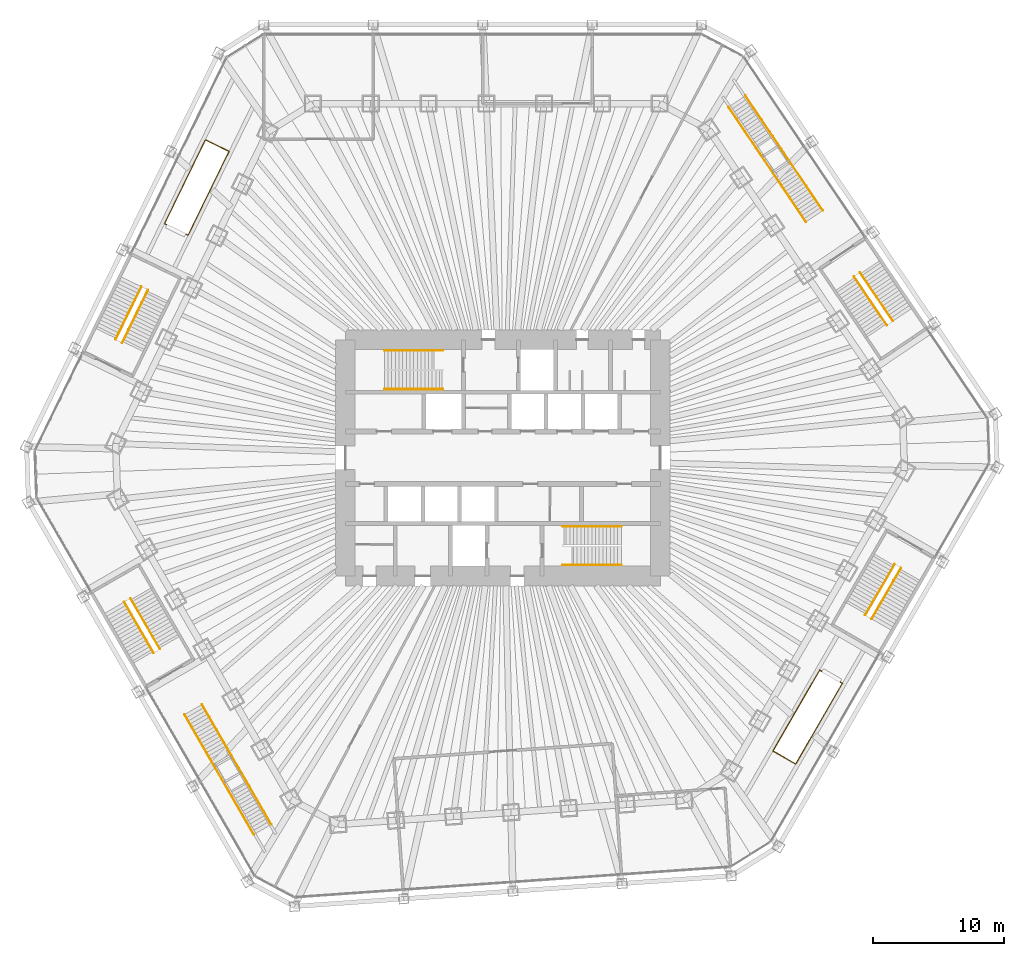
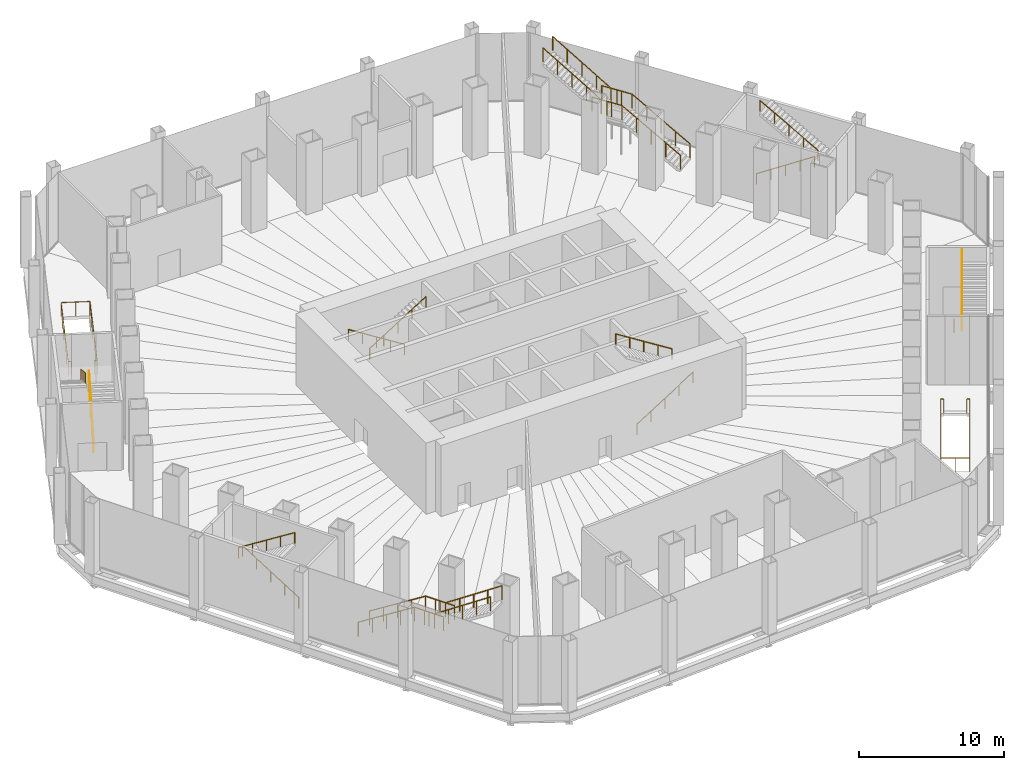
# One storey, part 23 of 23: 22 railings.
"""IFC4 building model written with IfcOpenShell, lengths in metres."""

from ifc_helpers import new_model, si_unit, direction, frame, origin, origin_2d, place, context, subcontext, project, spatial, circle, extrude, material, type_object, element, save


model = new_model("IFC4")

# Units and contexts
model_context = context("Model", 3, precision=1e-05, world=origin(), true_north=direction((0.0, 1.0)))
body_context = subcontext(model_context, "Body", "Model", "MODEL_VIEW")
ifc_project = project(units=[si_unit("LENGTHUNIT", "METRE"), si_unit("AREAUNIT", "SQUARE_METRE"), si_unit("VOLUMEUNIT", "CUBIC_METRE"), si_unit("PLANEANGLEUNIT", "RADIAN"), si_unit("MASSUNIT", "GRAM", prefix="KILO")], contexts=[model_context])

# Site, building, storey
site_placement = place(None, origin())
site = spatial("IfcSite", under=ifc_project, at=site_placement, CompositionType="ELEMENT")
building_placement = place(site_placement, origin())
building = spatial("IfcBuilding", under=site, at=building_placement, Name="Qingtian Harvest Tower", CompositionType="ELEMENT")
storey_placement = place(building_placement, frame((0.0, 0.0, 6.0)))
storey = spatial("IfcBuildingStorey", under=building, at=storey_placement, Name="L01", CompositionType="ELEMENT", Elevation=6.0)

# Railings
ifc_material_1 = material(Name="Laminated glass balustrade with steel handrail", Category="steel")
railing_type_1 = type_object("IfcRailingType", Name="Glass balustrade BG1 1200", PredefinedType="BALUSTRADE", material=ifc_material_1)
railing_1_placement = place(storey_placement, frame((24.322265625, -16.2841796875, 0.0)))
element("IfcRailing", 1, at=railing_1_placement, inside=storey, type_object=railing_type_1, Name="Feature stair opening guard FS1", PredefinedType="BALUSTRADE", context=body_context, shape_type="SweptSolid", body=[
    extrude(circle(Radius=0.02392578125, at=origin_2d()), frame((0.0, 0.0, 1.17578125), z_axis=(-0.865982457891, 0.500074377092, 0.0), x_axis=(-0.500074377092, -0.865982457891, 0.0)), (0.0, 0.0, 1.0), 0.2001953125),
    extrude(circle(Radius=0.02392578125, at=origin_2d()), frame((-0.17333984375, 0.10009765625, 1.17578125), z_axis=(-0.499990956993, -0.866030624704, 0.0), x_axis=(0.866030624704, -0.499990956993, 0.0)), (0.0, 0.0, 1.0), 7.110107421875),
    extrude(circle(Radius=0.02392578125, at=origin_2d()), frame((-3.728271484375, -6.057373046875, 1.17578125), z_axis=(0.866010750942, -0.50002537861, 0.0), x_axis=(0.50002537861, 0.866010750942, 0.0)), (0.0, 0.0, 1.0), 2.0),
    extrude(circle(Radius=0.02392578125, at=origin_2d()), frame((-1.996337890625, -7.057373046875, 1.17578125), z_axis=(0.5000167099, 0.866015756104, 0.0), x_axis=(-0.866015756104, 0.5000167099, 0.0)), (0.0, 0.0, 1.0), 7.110107421875),
    extrude(circle(Radius=0.02392578125, at=origin_2d()), frame((1.558837890625, -0.89990234375, 1.17578125), z_axis=(-0.865982457891, 0.500074377092, 0.0), x_axis=(-0.500074377092, -0.865982457891, 0.0)), (0.0, 0.0, 1.0), 0.2001953125),
    extrude(circle(Radius=0.02099609375, at=origin_2d()), origin(), (0.0, 0.0, 1.0), 1.15185546875),
    extrude(circle(Radius=0.02099609375, at=origin_2d()), frame((-0.17333984375, 0.10009765625, 0.0)), (0.0, 0.0, 1.0), 1.15185546875),
    extrude(circle(Radius=0.02099609375, at=origin_2d()), frame((-0.88427734375, -1.13134765625, 0.0)), (0.0, 0.0, 1.0), 1.15185546875),
    extrude(circle(Radius=0.02099609375, at=origin_2d()), frame((-1.59521484375, -2.36279296875, 0.0)), (0.0, 0.0, 1.0), 1.15185546875),
    extrude(circle(Radius=0.02099609375, at=origin_2d()), frame((-2.306396484375, -3.594482421875, 0.0)), (0.0, 0.0, 1.0), 1.15185546875),
    extrude(circle(Radius=0.02099609375, at=origin_2d()), frame((-3.017333984375, -4.825927734375, 0.0)), (0.0, 0.0, 1.0), 1.15185546875),
    extrude(circle(Radius=0.02099609375, at=origin_2d()), frame((-3.728271484375, -6.057373046875, 0.0)), (0.0, 0.0, 1.0), 1.15185546875),
    extrude(circle(Radius=0.02099609375, at=origin_2d()), frame((-2.8623046875, -6.557373046875, 0.0)), (0.0, 0.0, 1.0), 1.15185546875),
    extrude(circle(Radius=0.02099609375, at=origin_2d()), frame((-1.996337890625, -7.057373046875, 0.0)), (0.0, 0.0, 1.0), 1.15185546875),
    extrude(circle(Radius=0.02099609375, at=origin_2d()), frame((-1.285400390625, -5.825927734375, 0.0)), (0.0, 0.0, 1.0), 1.15185546875),
    extrude(circle(Radius=0.02099609375, at=origin_2d()), frame((-0.57421875, -4.594482421875, 0.0)), (0.0, 0.0, 1.0), 1.15185546875),
    extrude(circle(Radius=0.02099609375, at=origin_2d()), frame((0.13671875, -3.36279296875, 0.0)), (0.0, 0.0, 1.0), 1.15185546875),
    extrude(circle(Radius=0.02099609375, at=origin_2d()), frame((0.847900390625, -2.13134765625, 0.0)), (0.0, 0.0, 1.0), 1.15185546875),
    extrude(circle(Radius=0.02099609375, at=origin_2d()), frame((1.558837890625, -0.89990234375, 0.0)), (0.0, 0.0, 1.0), 1.15185546875),
    extrude(circle(Radius=0.02099609375, at=origin_2d()), frame((1.385498046875, -0.7998046875, 0.0)), (0.0, 0.0, 1.0), 1.15185546875),
])
railing_2_placement = place(storey_placement, frame((-24.16748046875, 17.058837890625, 0.0)))
element("IfcRailing", 2, at=railing_2_placement, inside=storey, type_object=railing_type_1, Name="Feature stair opening guard FS2", PredefinedType="BALUSTRADE", context=body_context, shape_type="SweptSolid", body=[
    extrude(circle(Radius=0.02392578125, at=origin_2d()), frame((0.0, 0.0, 1.17578125), z_axis=(0.898298727842, -0.439385247314, 0.0), x_axis=(0.439385247314, 0.898298727842, 0.0)), (0.0, 0.0, 1.0), 0.199951171875),
    extrude(circle(Radius=0.02392578125, at=origin_2d()), frame((0.1796875, -0.087890625, 1.17578125), z_axis=(0.438374246843, 0.898792534295, 0.0), x_axis=(-0.898792534295, 0.438374246843, 0.0)), (0.0, 0.0, 1.0), 7.1103515625),
    extrude(circle(Radius=0.02392578125, at=origin_2d()), frame((3.296630859375, 6.302734375, 1.17578125), z_axis=(-0.898802465371, 0.438353884714, 0.0), x_axis=(-0.438353884714, -0.898802465371, 0.0)), (0.0, 0.0, 1.0), 2.0),
    extrude(circle(Radius=0.02392578125, at=origin_2d()), frame((1.4990234375, 7.179443359375, 1.17578125), z_axis=(-0.438387776054, -0.898785935475, 0.0), x_axis=(0.898785935475, -0.438387776054, 0.0)), (0.0, 0.0, 1.0), 7.110107421875),
    extrude(circle(Radius=0.02392578125, at=origin_2d()), frame((-1.617919921875, 0.7890625, 1.17578125), z_axis=(0.898533972665, -0.438903975793, 0.0), x_axis=(0.438903975793, 0.898533972665, 0.0)), (0.0, 0.0, 1.0), 0.2001953125),
    extrude(circle(Radius=0.02099609375, at=origin_2d()), origin(), (0.0, 0.0, 1.0), 1.15185546875),
    extrude(circle(Radius=0.02099609375, at=origin_2d()), frame((0.1796875, -0.087890625, 0.0)), (0.0, 0.0, 1.0), 1.15185546875),
    extrude(circle(Radius=0.02099609375, at=origin_2d()), frame((0.802978515625, 1.190185546875, 0.0)), (0.0, 0.0, 1.0), 1.15185546875),
    extrude(circle(Radius=0.02099609375, at=origin_2d()), frame((1.426513671875, 2.46826171875, 0.0)), (0.0, 0.0, 1.0), 1.15185546875),
    extrude(circle(Radius=0.02099609375, at=origin_2d()), frame((2.0498046875, 3.74658203125, 0.0)), (0.0, 0.0, 1.0), 1.15185546875),
    extrude(circle(Radius=0.02099609375, at=origin_2d()), frame((2.67333984375, 5.024658203125, 0.0)), (0.0, 0.0, 1.0), 1.15185546875),
    extrude(circle(Radius=0.02099609375, at=origin_2d()), frame((3.296630859375, 6.302734375, 0.0)), (0.0, 0.0, 1.0), 1.15185546875),
    extrude(circle(Radius=0.02099609375, at=origin_2d()), frame((2.39794921875, 6.7412109375, 0.0)), (0.0, 0.0, 1.0), 1.15185546875),
    extrude(circle(Radius=0.02099609375, at=origin_2d()), frame((1.4990234375, 7.179443359375, 0.0)), (0.0, 0.0, 1.0), 1.15185546875),
    extrude(circle(Radius=0.02099609375, at=origin_2d()), frame((0.875732421875, 5.9013671875, 0.0)), (0.0, 0.0, 1.0), 1.15185546875),
    extrude(circle(Radius=0.02099609375, at=origin_2d()), frame((0.252197265625, 4.623291015625, 0.0)), (0.0, 0.0, 1.0), 1.15185546875),
    extrude(circle(Radius=0.02099609375, at=origin_2d()), frame((-0.37109375, 3.34521484375, 0.0)), (0.0, 0.0, 1.0), 1.15185546875),
    extrude(circle(Radius=0.02099609375, at=origin_2d()), frame((-0.99462890625, 2.067138671875, 0.0)), (0.0, 0.0, 1.0), 1.15185546875),
    extrude(circle(Radius=0.02099609375, at=origin_2d()), frame((-1.617919921875, 0.7890625, 0.0)), (0.0, 0.0, 1.0), 1.15185546875),
    extrude(circle(Radius=0.02099609375, at=origin_2d()), frame((-1.43798828125, 0.701171875, 0.0)), (0.0, 0.0, 1.0), 1.15185546875),
])
railing_3_placement = place(storey_placement, frame((24.390869140625, 18.853271484375, 0.176513671875)))
element("IfcRailing", 3, at=railing_3_placement, inside=storey, type_object=railing_type_1, Name="Feature stair balustrade FS3", PredefinedType="BALUSTRADE", context=body_context, shape_type="SweptSolid", body=[
    extrude(circle(Radius=0.02392578125, at=origin_2d()), frame((0.0, 0.0, 1.17578125), z_axis=(-0.473066796312, 0.701370740892, 0.533185605628), x_axis=(-0.829045102786, -0.559181739282, 0.0)), (0.0, 0.0, 1.0), 5.29541015625),
    extrude(circle(Radius=0.02392578125, at=origin_2d()), frame((-2.505126953125, 3.714111328125, 3.99951171875), z_axis=(-0.559234351956, 0.829009613691, 0.0), x_axis=(-0.829009613691, -0.559234351956, 0.0)), (0.0, 0.0, 1.0), 1.60009765625),
    extrude(circle(Radius=0.02392578125, at=origin_2d()), frame((-3.39990234375, 5.04052734375, 3.99951171875), z_axis=(-0.464627704744, 0.688858909684, 0.556412166055), x_axis=(-0.829045102786, -0.559181739282, 0.0)), (0.0, 0.0, 1.0), 5.3916015625),
    extrude(circle(Radius=0.02099609375, at=origin_2d()), origin(), (0.0, 0.0, 1.0), 1.15185546875),
    extrude(circle(Radius=0.02099609375, at=origin_2d()), frame((-0.626220703125, 0.928466796875, 0.705810546875)), (0.0, 0.0, 1.0), 1.15185546875),
    extrude(circle(Radius=0.02099609375, at=origin_2d()), frame((-1.25244140625, 1.85693359375, 1.41162109375)), (0.0, 0.0, 1.0), 1.15185546875),
    extrude(circle(Radius=0.02099609375, at=origin_2d()), frame((-1.87890625, 2.78564453125, 2.11767578125)), (0.0, 0.0, 1.0), 1.15185546875),
    extrude(circle(Radius=0.02099609375, at=origin_2d()), frame((-2.505126953125, 3.714111328125, 2.823486328125)), (0.0, 0.0, 1.0), 1.15185546875),
    extrude(circle(Radius=0.02099609375, at=origin_2d()), frame((-2.95263671875, 4.37744140625, 2.823486328125)), (0.0, 0.0, 1.0), 1.15185546875),
    extrude(circle(Radius=0.02099609375, at=origin_2d()), frame((-3.39990234375, 5.04052734375, 2.823486328125)), (0.0, 0.0, 1.0), 1.15185546875),
    extrude(circle(Radius=0.02099609375, at=origin_2d()), frame((-4.026123046875, 5.968994140625, 3.573486328125)), (0.0, 0.0, 1.0), 1.15185546875),
    extrude(circle(Radius=0.02099609375, at=origin_2d()), frame((-4.65234375, 6.8974609375, 4.323486328125)), (0.0, 0.0, 1.0), 1.15185546875),
    extrude(circle(Radius=0.02099609375, at=origin_2d()), frame((-5.27880859375, 7.826171875, 5.073486328125)), (0.0, 0.0, 1.0), 1.15185546875),
    extrude(circle(Radius=0.02099609375, at=origin_2d()), frame((-5.905029296875, 8.754638671875, 5.823486328125)), (0.0, 0.0, 1.0), 1.15185546875),
])
railing_4_placement = place(storey_placement, frame((23.1142578125, 17.9921875, 0.176513671875)))
element("IfcRailing", 4, at=railing_4_placement, inside=storey, type_object=railing_type_1, Name="Feature stair balustrade FS3", PredefinedType="BALUSTRADE", context=body_context, shape_type="SweptSolid", body=[
    extrude(circle(Radius=0.02392578125, at=origin_2d()), frame((0.0, 0.0, 1.17578125), z_axis=(-0.473102580945, 0.701355443766, 0.533173976675), x_axis=(-0.829019839157, -0.559219193415, 0.0)), (0.0, 0.0, 1.0), 5.295654296875),
    extrude(circle(Radius=0.02392578125, at=origin_2d()), frame((-2.50537109375, 3.714111328125, 3.99951171875), z_axis=(-0.559129471496, 0.829080354432, 0.0), x_axis=(-0.829080354432, -0.559129471496, 0.0)), (0.0, 0.0, 1.0), 1.599853515625),
    extrude(circle(Radius=0.02392578125, at=origin_2d()), frame((-3.39990234375, 5.04052734375, 3.99951171875), z_axis=(-0.464663209362, 0.688844416685, 0.556400459622), x_axis=(-0.829019839157, -0.559219193415, 0.0)), (0.0, 0.0, 1.0), 5.391845703125),
    extrude(circle(Radius=0.02099609375, at=origin_2d()), origin(), (0.0, 0.0, 1.0), 1.15185546875),
    extrude(circle(Radius=0.02099609375, at=origin_2d()), frame((-0.62646484375, 0.928466796875, 0.705810546875)), (0.0, 0.0, 1.0), 1.15185546875),
    extrude(circle(Radius=0.02099609375, at=origin_2d()), frame((-1.252685546875, 1.85693359375, 1.41162109375)), (0.0, 0.0, 1.0), 1.15185546875),
    extrude(circle(Radius=0.02099609375, at=origin_2d()), frame((-1.87890625, 2.78564453125, 2.11767578125)), (0.0, 0.0, 1.0), 1.15185546875),
    extrude(circle(Radius=0.02099609375, at=origin_2d()), frame((-2.50537109375, 3.714111328125, 2.823486328125)), (0.0, 0.0, 1.0), 1.15185546875),
    extrude(circle(Radius=0.02099609375, at=origin_2d()), frame((-2.95263671875, 4.37744140625, 2.823486328125)), (0.0, 0.0, 1.0), 1.15185546875),
    extrude(circle(Radius=0.02099609375, at=origin_2d()), frame((-3.39990234375, 5.04052734375, 2.823486328125)), (0.0, 0.0, 1.0), 1.15185546875),
    extrude(circle(Radius=0.02099609375, at=origin_2d()), frame((-4.0263671875, 5.968994140625, 3.573486328125)), (0.0, 0.0, 1.0), 1.15185546875),
    extrude(circle(Radius=0.02099609375, at=origin_2d()), frame((-4.652587890625, 6.8974609375, 4.323486328125)), (0.0, 0.0, 1.0), 1.15185546875),
    extrude(circle(Radius=0.02099609375, at=origin_2d()), frame((-5.27880859375, 7.826171875, 5.073486328125)), (0.0, 0.0, 1.0), 1.15185546875),
    extrude(circle(Radius=0.02099609375, at=origin_2d()), frame((-5.9052734375, 8.754638671875, 5.823486328125)), (0.0, 0.0, 1.0), 1.15185546875),
])
railing_5_placement = place(storey_placement, frame((-24.2568359375, -19.5625, 0.176513671875)))
element("IfcRailing", 5, at=railing_5_placement, inside=storey, type_object=railing_type_1, Name="Feature stair balustrade FS4", PredefinedType="BALUSTRADE", context=body_context, shape_type="SweptSolid", body=[
    extrude(circle(Radius=0.02392578125, at=origin_2d()), frame((0.0, 0.0, 1.17578125), z_axis=(0.423007058581, -0.732643615031, 0.533196363214), x_axis=(0.866017690131, 0.500013360201, 0.0)), (0.0, 0.0, 1.0), 5.29541015625),
    extrude(circle(Radius=0.02392578125, at=origin_2d()), frame((2.239990234375, -3.879638671875, 3.99951171875), z_axis=(0.499995408039, -0.866028054938, 0.0), x_axis=(0.866028054938, 0.499995408039, 0.0)), (0.0, 0.0, 1.0), 1.60009765625),
    extrude(circle(Radius=0.02392578125, at=origin_2d()), frame((3.0400390625, -5.265380859375, 3.99951171875), z_axis=(0.415460691878, -0.719573390152, 0.556422995292), x_axis=(0.866017690131, 0.500013360201, 0.0)), (0.0, 0.0, 1.0), 5.3916015625),
    extrude(circle(Radius=0.02099609375, at=origin_2d()), origin(), (0.0, 0.0, 1.0), 1.15185546875),
    extrude(circle(Radius=0.02099609375, at=origin_2d()), frame((0.56005859375, -0.969970703125, 0.705810546875)), (0.0, 0.0, 1.0), 1.15185546875),
    extrude(circle(Radius=0.02099609375, at=origin_2d()), frame((1.1201171875, -1.93994140625, 1.41162109375)), (0.0, 0.0, 1.0), 1.15185546875),
    extrude(circle(Radius=0.02099609375, at=origin_2d()), frame((1.679931640625, -2.90966796875, 2.11767578125)), (0.0, 0.0, 1.0), 1.15185546875),
    extrude(circle(Radius=0.02099609375, at=origin_2d()), frame((2.239990234375, -3.879638671875, 2.823486328125)), (0.0, 0.0, 1.0), 1.15185546875),
    extrude(circle(Radius=0.02099609375, at=origin_2d()), frame((2.64013671875, -4.572509765625, 2.823486328125)), (0.0, 0.0, 1.0), 1.15185546875),
    extrude(circle(Radius=0.02099609375, at=origin_2d()), frame((3.0400390625, -5.265380859375, 2.823486328125)), (0.0, 0.0, 1.0), 1.15185546875),
    extrude(circle(Radius=0.02099609375, at=origin_2d()), frame((3.60009765625, -6.2353515625, 3.573486328125)), (0.0, 0.0, 1.0), 1.15185546875),
    extrude(circle(Radius=0.02099609375, at=origin_2d()), frame((4.16015625, -7.205078125, 4.323486328125)), (0.0, 0.0, 1.0), 1.15185546875),
    extrude(circle(Radius=0.02099609375, at=origin_2d()), frame((4.719970703125, -8.175048828125, 5.073486328125)), (0.0, 0.0, 1.0), 1.15185546875),
    extrude(circle(Radius=0.02099609375, at=origin_2d()), frame((5.280029296875, -9.14501953125, 5.823486328125)), (0.0, 0.0, 1.0), 1.15185546875),
])
railing_6_placement = place(storey_placement, frame((-22.923095703125, -18.79248046875, 0.176513671875)))
element("IfcRailing", 6, at=railing_6_placement, inside=storey, type_object=railing_type_1, Name="Feature stair balustrade FS4", PredefinedType="BALUSTRADE", context=body_context, shape_type="SweptSolid", body=[
    extrude(circle(Radius=0.02392578125, at=origin_2d()), frame((0.0, 0.0, 1.17578125), z_axis=(0.423007058581, -0.732643615031, 0.533196363214), x_axis=(0.866017690131, 0.500013360201, 0.0)), (0.0, 0.0, 1.0), 5.29541015625),
    extrude(circle(Radius=0.02392578125, at=origin_2d()), frame((2.239990234375, -3.879638671875, 3.99951171875), z_axis=(0.499995408039, -0.866028054938, 0.0), x_axis=(0.866028054938, 0.499995408039, 0.0)), (0.0, 0.0, 1.0), 1.60009765625),
    extrude(circle(Radius=0.02392578125, at=origin_2d()), frame((3.0400390625, -5.265380859375, 3.99951171875), z_axis=(0.415460691878, -0.719573390152, 0.556422995292), x_axis=(0.866017690131, 0.500013360201, 0.0)), (0.0, 0.0, 1.0), 5.3916015625),
    extrude(circle(Radius=0.02099609375, at=origin_2d()), origin(), (0.0, 0.0, 1.0), 1.15185546875),
    extrude(circle(Radius=0.02099609375, at=origin_2d()), frame((0.56005859375, -0.969970703125, 0.705810546875)), (0.0, 0.0, 1.0), 1.15185546875),
    extrude(circle(Radius=0.02099609375, at=origin_2d()), frame((1.1201171875, -1.93994140625, 1.41162109375)), (0.0, 0.0, 1.0), 1.15185546875),
    extrude(circle(Radius=0.02099609375, at=origin_2d()), frame((1.679931640625, -2.90966796875, 2.11767578125)), (0.0, 0.0, 1.0), 1.15185546875),
    extrude(circle(Radius=0.02099609375, at=origin_2d()), frame((2.239990234375, -3.879638671875, 2.823486328125)), (0.0, 0.0, 1.0), 1.15185546875),
    extrude(circle(Radius=0.02099609375, at=origin_2d()), frame((2.64013671875, -4.572509765625, 2.823486328125)), (0.0, 0.0, 1.0), 1.15185546875),
    extrude(circle(Radius=0.02099609375, at=origin_2d()), frame((3.0400390625, -5.265380859375, 2.823486328125)), (0.0, 0.0, 1.0), 1.15185546875),
    extrude(circle(Radius=0.02099609375, at=origin_2d()), frame((3.60009765625, -6.2353515625, 3.573486328125)), (0.0, 0.0, 1.0), 1.15185546875),
    extrude(circle(Radius=0.02099609375, at=origin_2d()), frame((4.16015625, -7.205078125, 4.323486328125)), (0.0, 0.0, 1.0), 1.15185546875),
    extrude(circle(Radius=0.02099609375, at=origin_2d()), frame((4.719970703125, -8.175048828125, 5.073486328125)), (0.0, 0.0, 1.0), 1.15185546875),
    extrude(circle(Radius=0.02099609375, at=origin_2d()), frame((5.280029296875, -9.14501953125, 5.823486328125)), (0.0, 0.0, 1.0), 1.15185546875),
])
ifc_material_2 = material(Name="Bronze-finished steel guard", Category="steel")
railing_type_2 = type_object("IfcRailingType", Name="Guard GR1 1200", PredefinedType="GUARDRAIL", material=ifc_material_2)
for number, where, name in (
    (7, (21.8857421875, 22.5673828125, 3.0), "Feature stair landing guard FS3"),
    (8, (20.60888671875, 21.706298828125, 3.0), "Feature stair landing guard FS3"),
):
    element("IfcRailing", number, at=place(storey_placement, frame(where)), inside=storey, type_object=railing_type_2, Name=name, PredefinedType="GUARDRAIL", context=body_context, shape_type="SweptSolid", body=[
        extrude(circle(Radius=0.02392578125, at=origin_2d()), frame((0.0, 0.0, 1.17578125), z_axis=(-0.559204176839, 0.829029968461, 0.0), x_axis=(-0.829029968461, -0.559204176839, 0.0)), (0.0, 0.0, 1.0), 2.31005859375),
        extrude(circle(Radius=0.02099609375, at=origin_2d()), origin(), (0.0, 0.0, 1.0), 1.15185546875),
        extrude(circle(Radius=0.02099609375, at=origin_2d()), frame((-0.64599609375, 0.95751953125, 0.0)), (0.0, 0.0, 1.0), 1.15185546875),
        extrude(circle(Radius=0.02099609375, at=origin_2d()), frame((-1.291748046875, 1.9150390625, 0.0)), (0.0, 0.0, 1.0), 1.15185546875),
    ])
for number, where, name in (
    (9, (-22.016845703125, -23.442138671875, 3.0), "Feature stair landing guard FS4"),
    (10, (-20.68310546875, -22.672119140625, 3.0), "Feature stair landing guard FS4"),
):
    element("IfcRailing", number, at=place(storey_placement, frame(where)), inside=storey, type_object=railing_type_2, Name=name, PredefinedType="GUARDRAIL", context=body_context, shape_type="SweptSolid", body=[
        extrude(circle(Radius=0.02392578125, at=origin_2d()), frame((0.0, 0.0, 1.17578125), z_axis=(0.500015210774, -0.866016621662, 0.0), x_axis=(0.866016621662, 0.500015210774, 0.0)), (0.0, 0.0, 1.0), 2.31005859375),
        extrude(circle(Radius=0.02099609375, at=origin_2d()), origin(), (0.0, 0.0, 1.0), 1.15185546875),
        extrude(circle(Radius=0.02099609375, at=origin_2d()), frame((0.57763671875, -1.000244140625, 0.0)), (0.0, 0.0, 1.0), 1.15185546875),
        extrude(circle(Radius=0.02099609375, at=origin_2d()), frame((1.155029296875, -2.00048828125, 0.0)), (0.0, 0.0, 1.0), 1.15185546875),
    ])
ifc_material_3 = material(Name="Stainless steel handrail", Category="steel")
railing_type_3 = type_object("IfcRailingType", Name="Handrail HR1", PredefinedType="HANDRAIL", material=ifc_material_3)
railing_7_placement = place(storey_placement, frame((26.765869140625, 13.823486328125, 0.176513671875)))
element("IfcRailing", 11, at=railing_7_placement, inside=storey, type_object=railing_type_3, Name="Handrail HR1 P1 flight 1", PredefinedType="HANDRAIL", context=body_context, shape_type="SweptSolid", body=[
    extrude(circle(Radius=0.02392578125, at=origin_2d()), frame((0.0, 0.0, 0.8759765625), z_axis=(0.473102580945, -0.701355443766, 0.533173976675), x_axis=(0.829019839157, 0.559219193415, 0.0)), (0.0, 0.0, 1.0), 5.295654296875),
    extrude(circle(Radius=0.02099609375, at=origin_2d()), origin(), (0.0, 0.0, 1.0), 0.851806640625),
    extrude(circle(Radius=0.02099609375, at=origin_2d()), frame((0.62646484375, -0.928466796875, 0.705810546875)), (0.0, 0.0, 1.0), 0.851806640625),
    extrude(circle(Radius=0.02099609375, at=origin_2d()), frame((1.252685546875, -1.85693359375, 1.41162109375)), (0.0, 0.0, 1.0), 0.851806640625),
    extrude(circle(Radius=0.02099609375, at=origin_2d()), frame((1.87890625, -2.78564453125, 2.11767578125)), (0.0, 0.0, 1.0), 0.851806640625),
    extrude(circle(Radius=0.02099609375, at=origin_2d()), frame((2.50537109375, -3.714111328125, 2.823486328125)), (0.0, 0.0, 1.0), 0.851806640625),
])
railing_8_placement = place(storey_placement, frame((29.7353515625, 10.422607421875, 3.176513671875)))
element("IfcRailing", 12, at=railing_8_placement, inside=storey, type_object=railing_type_3, Name="Handrail HR1 P1 flight 2", PredefinedType="HANDRAIL", context=body_context, shape_type="SweptSolid", body=[
    extrude(circle(Radius=0.02392578125, at=origin_2d()), frame((0.0, 0.0, 0.8759765625), z_axis=(-0.473066796312, 0.701370740892, 0.533185605628), x_axis=(-0.829045102786, -0.559181739282, 0.0)), (0.0, 0.0, 1.0), 5.29541015625),
    extrude(circle(Radius=0.02099609375, at=origin_2d()), origin(), (0.0, 0.0, 1.0), 0.851806640625),
    extrude(circle(Radius=0.02099609375, at=origin_2d()), frame((-0.626220703125, 0.928466796875, 0.705810546875)), (0.0, 0.0, 1.0), 0.851806640625),
    extrude(circle(Radius=0.02099609375, at=origin_2d()), frame((-1.25244140625, 1.85693359375, 1.41162109375)), (0.0, 0.0, 1.0), 0.851806640625),
    extrude(circle(Radius=0.02099609375, at=origin_2d()), frame((-1.87890625, 2.78564453125, 2.11767578125)), (0.0, 0.0, 1.0), 0.851806640625),
    extrude(circle(Radius=0.02099609375, at=origin_2d()), frame((-2.505126953125, 3.714111328125, 2.823486328125)), (0.0, 0.0, 1.0), 0.851806640625),
])
railing_9_placement = place(storey_placement, frame((29.865966796875, -8.110595703125, 0.176513671875)))
element("IfcRailing", 13, at=railing_9_placement, inside=storey, type_object=railing_type_3, Name="Handrail HR1 P2 flight 1", PredefinedType="HANDRAIL", context=body_context, shape_type="SweptSolid", body=[
    extrude(circle(Radius=0.02392578125, at=origin_2d()), frame((0.0, 0.0, 0.8759765625), z_axis=(-0.42299277051, -0.732664971003, 0.533178353237), x_axis=(0.866031314237, -0.499989762656, 0.0)), (0.0, 0.0, 1.0), 5.295654296875),
    extrude(circle(Radius=0.02099609375, at=origin_2d()), origin(), (0.0, 0.0, 1.0), 0.851806640625),
    extrude(circle(Radius=0.02099609375, at=origin_2d()), frame((-0.56005859375, -0.969970703125, 0.705810546875)), (0.0, 0.0, 1.0), 0.851806640625),
    extrude(circle(Radius=0.02099609375, at=origin_2d()), frame((-1.1201171875, -1.93994140625, 1.41162109375)), (0.0, 0.0, 1.0), 0.851806640625),
    extrude(circle(Radius=0.02099609375, at=origin_2d()), frame((-1.679931640625, -2.909912109375, 2.11767578125)), (0.0, 0.0, 1.0), 0.851806640625),
    extrude(circle(Radius=0.02099609375, at=origin_2d()), frame((-2.239990234375, -3.8798828125, 2.823486328125)), (0.0, 0.0, 1.0), 0.851806640625),
])
railing_10_placement = place(storey_placement, frame((28.11083984375, -12.2705078125, 3.176513671875)))
element("IfcRailing", 14, at=railing_10_placement, inside=storey, type_object=railing_type_3, Name="Handrail HR1 P2 flight 2", PredefinedType="HANDRAIL", context=body_context, shape_type="SweptSolid", body=[
    extrude(circle(Radius=0.02392578125, at=origin_2d()), frame((0.0, 0.0, 0.8759765625), z_axis=(0.42299277051, 0.732664971003, 0.533178353237), x_axis=(-0.866031314237, 0.499989762656, 0.0)), (0.0, 0.0, 1.0), 5.295654296875),
    extrude(circle(Radius=0.02099609375, at=origin_2d()), origin(), (0.0, 0.0, 1.0), 0.851806640625),
    extrude(circle(Radius=0.02099609375, at=origin_2d()), frame((0.56005859375, 0.969970703125, 0.705810546875)), (0.0, 0.0, 1.0), 0.851806640625),
    extrude(circle(Radius=0.02099609375, at=origin_2d()), frame((1.1201171875, 1.93994140625, 1.41162109375)), (0.0, 0.0, 1.0), 0.851806640625),
    extrude(circle(Radius=0.02099609375, at=origin_2d()), frame((1.679931640625, 2.909912109375, 2.11767578125)), (0.0, 0.0, 1.0), 0.851806640625),
    extrude(circle(Radius=0.02099609375, at=origin_2d()), frame((2.239990234375, 3.8798828125, 2.823486328125)), (0.0, 0.0, 1.0), 0.851806640625),
])
railing_11_placement = place(storey_placement, frame((-26.1279296875, -14.585205078125, 0.176513671875)))
element("IfcRailing", 15, at=railing_11_placement, inside=storey, type_object=railing_type_3, Name="Handrail HR1 P3 flight 1", PredefinedType="HANDRAIL", context=body_context, shape_type="SweptSolid", body=[
    extrude(circle(Radius=0.02392578125, at=origin_2d()), frame((0.0, 0.0, 0.8759765625), z_axis=(-0.42299277051, 0.732664971003, 0.533178353237), x_axis=(-0.866031314237, -0.499989762656, 0.0)), (0.0, 0.0, 1.0), 5.295654296875),
    extrude(circle(Radius=0.02099609375, at=origin_2d()), origin(), (0.0, 0.0, 1.0), 0.851806640625),
    extrude(circle(Radius=0.02099609375, at=origin_2d()), frame((-0.56005859375, 0.969970703125, 0.705810546875)), (0.0, 0.0, 1.0), 0.851806640625),
    extrude(circle(Radius=0.02099609375, at=origin_2d()), frame((-1.1201171875, 1.93994140625, 1.41162109375)), (0.0, 0.0, 1.0), 0.851806640625),
    extrude(circle(Radius=0.02099609375, at=origin_2d()), frame((-1.679931640625, 2.909912109375, 2.11767578125)), (0.0, 0.0, 1.0), 0.851806640625),
    extrude(circle(Radius=0.02099609375, at=origin_2d()), frame((-2.239990234375, 3.8798828125, 2.823486328125)), (0.0, 0.0, 1.0), 0.851806640625),
])
railing_12_placement = place(storey_placement, frame((-28.852783203125, -10.9853515625, 3.176513671875)))
element("IfcRailing", 16, at=railing_12_placement, inside=storey, type_object=railing_type_3, Name="Handrail HR1 P3 flight 2", PredefinedType="HANDRAIL", context=body_context, shape_type="SweptSolid", body=[
    extrude(circle(Radius=0.02392578125, at=origin_2d()), frame((0.0, 0.0, 0.8759765625), z_axis=(0.42299277051, -0.732664971003, 0.533178353237), x_axis=(0.866031314237, 0.499989762656, 0.0)), (0.0, 0.0, 1.0), 5.295654296875),
    extrude(circle(Radius=0.02099609375, at=origin_2d()), origin(), (0.0, 0.0, 1.0), 0.851806640625),
    extrude(circle(Radius=0.02099609375, at=origin_2d()), frame((0.56005859375, -0.969970703125, 0.705810546875)), (0.0, 0.0, 1.0), 0.851806640625),
    extrude(circle(Radius=0.02099609375, at=origin_2d()), frame((1.1201171875, -1.93994140625, 1.41162109375)), (0.0, 0.0, 1.0), 0.851806640625),
    extrude(circle(Radius=0.02099609375, at=origin_2d()), frame((1.679931640625, -2.909912109375, 2.11767578125)), (0.0, 0.0, 1.0), 0.851806640625),
    extrude(circle(Radius=0.02099609375, at=origin_2d()), frame((2.239990234375, -3.8798828125, 2.823486328125)), (0.0, 0.0, 1.0), 0.851806640625),
])
railing_13_placement = place(storey_placement, frame((-29.01123046875, 8.770751953125, 0.176513671875)))
element("IfcRailing", 17, at=railing_13_placement, inside=storey, type_object=railing_type_3, Name="Handrail HR1 P4 flight 1", PredefinedType="HANDRAIL", context=body_context, shape_type="SweptSolid", body=[
    extrude(circle(Radius=0.02392578125, at=origin_2d()), frame((0.0, 0.0, 0.8759765625), z_axis=(0.370855010574, 0.76038186094, 0.53318475849), x_axis=(-0.898797773377, 0.438363505065, 0.0)), (0.0, 0.0, 1.0), 5.29541015625),
    extrude(circle(Radius=0.02099609375, at=origin_2d()), origin(), (0.0, 0.0, 1.0), 0.851806640625),
    extrude(circle(Radius=0.02099609375, at=origin_2d()), frame((0.490966796875, 1.006591796875, 0.705810546875)), (0.0, 0.0, 1.0), 0.851806640625),
    extrude(circle(Radius=0.02099609375, at=origin_2d()), frame((0.98193359375, 2.01318359375, 1.41162109375)), (0.0, 0.0, 1.0), 0.851806640625),
    extrude(circle(Radius=0.02099609375, at=origin_2d()), frame((1.472900390625, 3.02001953125, 2.11767578125)), (0.0, 0.0, 1.0), 0.851806640625),
    extrude(circle(Radius=0.02099609375, at=origin_2d()), frame((1.9638671875, 4.026611328125, 2.823486328125)), (0.0, 0.0, 1.0), 0.851806640625),
])
railing_14_placement = place(storey_placement, frame((-27.55078125, 13.042724609375, 3.176513671875)))
element("IfcRailing", 18, at=railing_14_placement, inside=storey, type_object=railing_type_3, Name="Handrail HR1 P4 flight 2", PredefinedType="HANDRAIL", context=body_context, shape_type="SweptSolid", body=[
    extrude(circle(Radius=0.02392578125, at=origin_2d()), frame((0.0, 0.0, 0.8759765625), z_axis=(-0.370855010574, -0.76038186094, 0.53318475849), x_axis=(0.898797773377, -0.438363505065, 0.0)), (0.0, 0.0, 1.0), 5.29541015625),
    extrude(circle(Radius=0.02099609375, at=origin_2d()), origin(), (0.0, 0.0, 1.0), 0.851806640625),
    extrude(circle(Radius=0.02099609375, at=origin_2d()), frame((-0.490966796875, -1.006591796875, 0.705810546875)), (0.0, 0.0, 1.0), 0.851806640625),
    extrude(circle(Radius=0.02099609375, at=origin_2d()), frame((-0.98193359375, -2.01318359375, 1.41162109375)), (0.0, 0.0, 1.0), 0.851806640625),
    extrude(circle(Radius=0.02099609375, at=origin_2d()), frame((-1.472900390625, -3.02001953125, 2.11767578125)), (0.0, 0.0, 1.0), 0.851806640625),
    extrude(circle(Radius=0.02099609375, at=origin_2d()), frame((-1.9638671875, -4.026611328125, 2.823486328125)), (0.0, 0.0, 1.0), 0.851806640625),
])
railing_15_placement = place(storey_placement, frame((-4.550048828125, 8.169921875, 0.176513671875)))
element("IfcRailing", 19, at=railing_15_placement, inside=storey, type_object=railing_type_3, Name="Handrail HR1 S1 flight 1", PredefinedType="HANDRAIL", context=body_context, shape_type="SweptSolid", body=[
    extrude(circle(Radius=0.02392578125, at=origin_2d()), frame((0.0, 0.0, 0.8759765625), z_axis=(-0.845997938375, 0.0, 0.533186166611), x_axis=(0.0, -1.0, 0.0)), (0.0, 0.0, 1.0), 5.29541015625),
    extrude(circle(Radius=0.02099609375, at=origin_2d()), origin(), (0.0, 0.0, 1.0), 0.851806640625),
    extrude(circle(Radius=0.02099609375, at=origin_2d()), frame((-1.1201171875, 0.0, 0.705810546875)), (0.0, 0.0, 1.0), 0.851806640625),
    extrude(circle(Radius=0.02099609375, at=origin_2d()), frame((-2.239990234375, 0.0, 1.41162109375)), (0.0, 0.0, 1.0), 0.851806640625),
    extrude(circle(Radius=0.02099609375, at=origin_2d()), frame((-3.35986328125, 0.0, 2.11767578125)), (0.0, 0.0, 1.0), 0.851806640625),
    extrude(circle(Radius=0.02099609375, at=origin_2d()), frame((-4.47998046875, 0.0, 2.823486328125)), (0.0, 0.0, 1.0), 0.851806640625),
])
for number, where, name in (
    (20, (-9.030029296875, 5.22998046875, 3.176513671875), "Handrail HR1 S1 flight 2"),
    (21, (4.550048828125, -8.169921875, 0.176513671875), "Handrail HR1 S2 flight 1"),
):
    element("IfcRailing", number, at=place(storey_placement, frame(where)), inside=storey, type_object=railing_type_3, Name=name, PredefinedType="HANDRAIL", context=body_context, shape_type="SweptSolid", body=[
        extrude(circle(Radius=0.02392578125, at=origin_2d()), frame((0.0, 0.0, 0.8759765625), z_axis=(0.845997938375, 0.0, 0.533186166611), x_axis=(0.0, 1.0, 0.0)), (0.0, 0.0, 1.0), 5.29541015625),
        extrude(circle(Radius=0.02099609375, at=origin_2d()), origin(), (0.0, 0.0, 1.0), 0.851806640625),
        extrude(circle(Radius=0.02099609375, at=origin_2d()), frame((1.1201171875, 0.0, 0.705810546875)), (0.0, 0.0, 1.0), 0.851806640625),
        extrude(circle(Radius=0.02099609375, at=origin_2d()), frame((2.239990234375, 0.0, 1.41162109375)), (0.0, 0.0, 1.0), 0.851806640625),
        extrude(circle(Radius=0.02099609375, at=origin_2d()), frame((3.35986328125, 0.0, 2.11767578125)), (0.0, 0.0, 1.0), 0.851806640625),
        extrude(circle(Radius=0.02099609375, at=origin_2d()), frame((4.47998046875, 0.0, 2.823486328125)), (0.0, 0.0, 1.0), 0.851806640625),
    ])
railing_16_placement = place(storey_placement, frame((9.030029296875, -5.22998046875, 3.176513671875)))
element("IfcRailing", 22, at=railing_16_placement, inside=storey, type_object=railing_type_3, Name="Handrail HR1 S2 flight 2", PredefinedType="HANDRAIL", context=body_context, shape_type="SweptSolid", body=[
    extrude(circle(Radius=0.02392578125, at=origin_2d()), frame((0.0, 0.0, 0.8759765625), z_axis=(-0.845997938375, 0.0, 0.533186166611), x_axis=(0.0, -1.0, 0.0)), (0.0, 0.0, 1.0), 5.29541015625),
    extrude(circle(Radius=0.02099609375, at=origin_2d()), origin(), (0.0, 0.0, 1.0), 0.851806640625),
    extrude(circle(Radius=0.02099609375, at=origin_2d()), frame((-1.1201171875, 0.0, 0.705810546875)), (0.0, 0.0, 1.0), 0.851806640625),
    extrude(circle(Radius=0.02099609375, at=origin_2d()), frame((-2.239990234375, 0.0, 1.41162109375)), (0.0, 0.0, 1.0), 0.851806640625),
    extrude(circle(Radius=0.02099609375, at=origin_2d()), frame((-3.35986328125, 0.0, 2.11767578125)), (0.0, 0.0, 1.0), 0.851806640625),
    extrude(circle(Radius=0.02099609375, at=origin_2d()), frame((-4.47998046875, 0.0, 2.823486328125)), (0.0, 0.0, 1.0), 0.851806640625),
])

save(model, "model.ifc")
